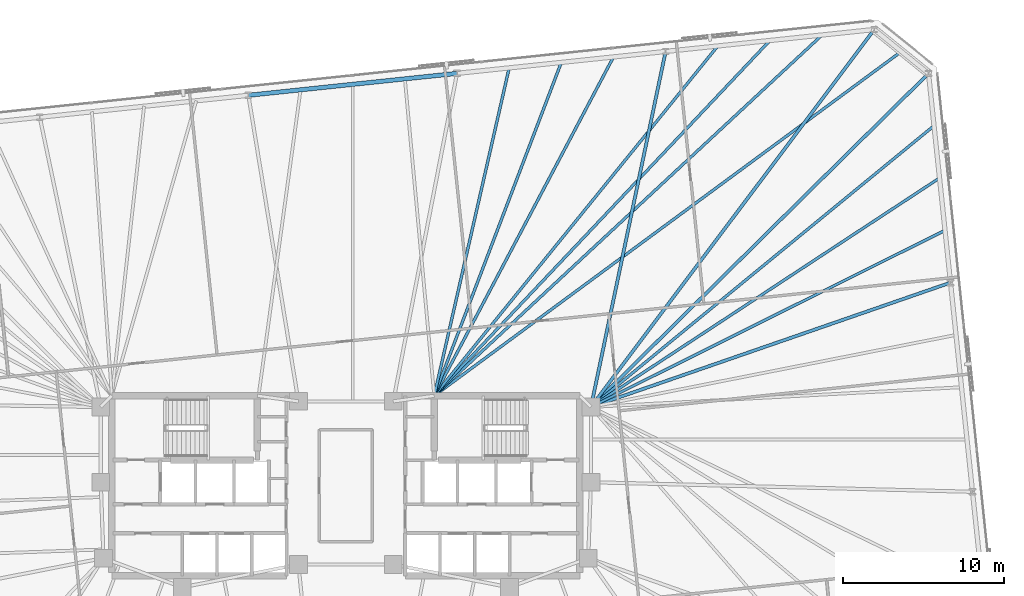
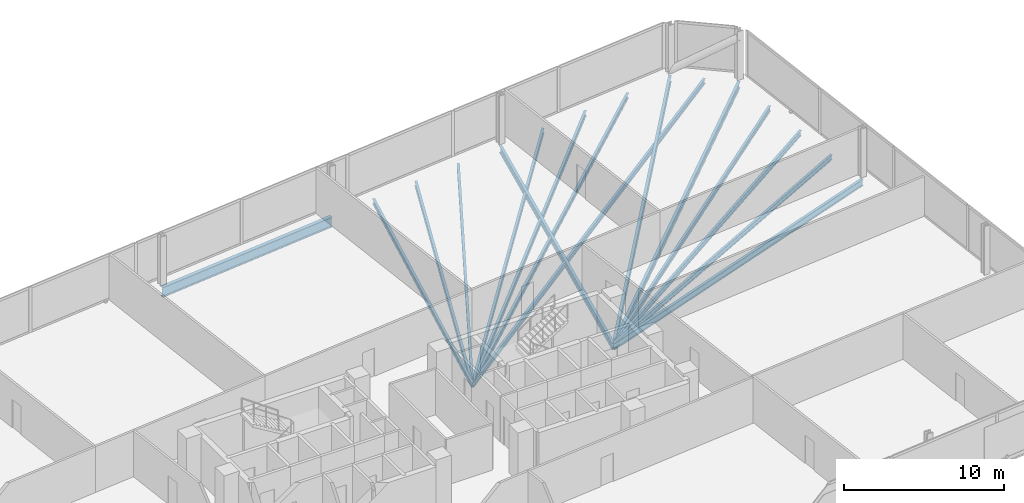
# One storey, part 10 of 18: 15 beams.
"""IFC4 building model written with IfcOpenShell, lengths in metres."""

from ifc_helpers import new_model, si_unit, direction, frame, origin, origin_2d, place, context, subcontext, project, spatial, i_section, extrude, material, material_profile, profile_set, type_object, element, save


model = new_model("IFC4")

# Units and contexts
model_context = context("Model", 3, precision=1e-05, world=origin(), true_north=direction((0.0, 1.0)))
body_context = subcontext(model_context, "Body", "Model", "MODEL_VIEW")
ifc_project = project(units=[si_unit("LENGTHUNIT", "METRE"), si_unit("AREAUNIT", "SQUARE_METRE"), si_unit("VOLUMEUNIT", "CUBIC_METRE"), si_unit("PLANEANGLEUNIT", "RADIAN"), si_unit("MASSUNIT", "GRAM", prefix="KILO")], contexts=[model_context])

# Site, building, storey
site_placement = place(None, origin())
site = spatial("IfcSite", under=ifc_project, at=site_placement, CompositionType="ELEMENT")
building_placement = place(site_placement, origin())
building = spatial("IfcBuilding", under=site, at=building_placement, Name="Menara Jurai Vektor", CompositionType="ELEMENT")
storey_placement = place(building_placement, frame((0.0, 0.0, 117.0)))
storey = spatial("IfcBuildingStorey", under=building, at=storey_placement, Name="L29", CompositionType="ELEMENT", Elevation=117.0)

# Beams
ifc_material_1 = material(Name="Steel S355", Category="steel")
ifc_material_profile_1 = material_profile(ifc_material_1, i_section(OverallWidth=0.199951171875, OverallDepth=0.5, WebThickness=0.011962890625, FlangeThickness=0.02001953125, at=origin_2d()), Name="PG 500x200x96")
ifc_profile_set_1 = profile_set([ifc_material_profile_1], Name="Steel S355")
beam_type_1 = type_object("IfcBeamType", Name="STR-BM-500", PredefinedType="BEAM", material=ifc_profile_set_1)
beam_1_placement = place(storey_placement, frame((37.62060546875, 12.638427734375, -0.47509765625), z_axis=(-0.945053249867, -0.326916434148, 0.0), x_axis=(0.326916434148, -0.945053249867, 0.0)))
element("IfcBeam", 1, at=beam_1_placement, inside=storey, type_object=beam_type_1, Name="Radial Floor Girder L29-E3", PredefinedType="BEAM", context=body_context, shape_type="SweptSolid", body=[
    extrude(i_section(OverallWidth=0.199951171875, OverallDepth=0.5, WebThickness=0.011962890625, FlangeThickness=0.02001953125, at=origin_2d()), origin(), (0.0, 0.0, 1.0), 23.671142578125),
])
beam_2_placement = place(storey_placement, frame((36.252685546875, 25.652099609375, -0.47509765625), z_axis=(-0.711335927547, -0.702852188004, 0.0), x_axis=(0.702852188004, -0.711335927547, 0.0)))
element("IfcBeam", 2, at=beam_2_placement, inside=storey, type_object=beam_type_1, Name="Radial Floor Girder L29-E4", PredefinedType="BEAM", context=body_context, shape_type="SweptSolid", body=[
    extrude(i_section(OverallWidth=0.199951171875, OverallDepth=0.5, WebThickness=0.011962890625, FlangeThickness=0.02001953125, at=origin_2d()), origin(), (0.0, 0.0, 1.0), 29.525634765625),
])
beam_3_placement = place(storey_placement, frame((32.876220703125, 28.38623046875, -0.47509765625), z_axis=(-0.600250057552, -0.799812395758, 0.0), x_axis=(0.799812395758, -0.600250057552, 0.0)))
element("IfcBeam", 3, at=beam_3_placement, inside=storey, type_object=beam_type_1, Name="Radial Floor Girder L29-N1", PredefinedType="BEAM", context=body_context, shape_type="SweptSolid", body=[
    extrude(i_section(OverallWidth=0.199951171875, OverallDepth=0.5, WebThickness=0.011962890625, FlangeThickness=0.02001953125, at=origin_2d()), origin(), (0.0, 0.0, 1.0), 29.36474609375),
])
beam_4_placement = place(storey_placement, frame((19.896728515625, 27.02197265625, -0.47509765625), z_axis=(-0.205563576063, -0.978643763683, 0.0), x_axis=(0.978643763683, -0.205563576063, 0.0)))
element("IfcBeam", 4, at=beam_4_placement, inside=storey, type_object=beam_type_1, Name="Radial Floor Girder L29-N2", PredefinedType="BEAM", context=body_context, shape_type="SweptSolid", body=[
    extrude(i_section(OverallWidth=0.199951171875, OverallDepth=0.5, WebThickness=0.011962890625, FlangeThickness=0.02001953125, at=origin_2d()), origin(), (0.0, 0.0, 1.0), 22.604736328125),
])
ifc_material_profile_2 = material_profile(ifc_material_1, i_section(OverallWidth=0.175048828125, OverallDepth=0.3798828125, WebThickness=0.010009765625, FlangeThickness=0.014892578125, at=origin_2d()), Name="PG 380x175x58")
ifc_profile_set_2 = profile_set([ifc_material_profile_2], Name="Steel S355")
beam_type_2 = type_object("IfcBeamType", Name="STR-JS-380", PredefinedType="JOIST", material=ifc_profile_set_2)
beam_5_placement = place(storey_placement, frame((37.278564453125, 15.891845703125, -0.4150390625), z_axis=(-0.894789854106, -0.446487532849, 0.0), x_axis=(0.446487532849, -0.894789854106, 0.0)))
element("IfcBeam", 5, at=beam_5_placement, inside=storey, type_object=beam_type_2, Name="Radial Secondary Floor Joist L29-JS16", PredefinedType="JOIST", context=body_context, shape_type="SweptSolid", body=[
    extrude(i_section(OverallWidth=0.175048828125, OverallDepth=0.3798828125, WebThickness=0.010009765625, FlangeThickness=0.014892578125, at=origin_2d()), origin(), (0.0, 0.0, 1.0), 24.61865234375),
])
beam_6_placement = place(storey_placement, frame((36.936767578125, 19.145263671875, -0.4150390625), z_axis=(-0.835810585743, -0.549017909326, 0.0), x_axis=(0.549017909326, -0.835810585743, 0.0)))
element("IfcBeam", 6, at=beam_6_placement, inside=storey, type_object=beam_type_2, Name="Radial Secondary Floor Joist L29-JS17", PredefinedType="JOIST", context=body_context, shape_type="SweptSolid", body=[
    extrude(i_section(OverallWidth=0.175048828125, OverallDepth=0.3798828125, WebThickness=0.010009765625, FlangeThickness=0.014892578125, at=origin_2d()), origin(), (0.0, 0.0, 1.0), 25.947021484375),
])
beam_7_placement = place(storey_placement, frame((36.5947265625, 22.398681640625, -0.4150390625), z_axis=(-0.773337004811, -0.63399517111, 0.0), x_axis=(0.63399517111, -0.773337004811, 0.0)))
element("IfcBeam", 7, at=beam_7_placement, inside=storey, type_object=beam_type_2, Name="Radial Secondary Floor Joist L29-JS18", PredefinedType="JOIST", context=body_context, shape_type="SweptSolid", body=[
    extrude(i_section(OverallWidth=0.175048828125, OverallDepth=0.3798828125, WebThickness=0.010009765625, FlangeThickness=0.014892578125, at=origin_2d()), origin(), (0.0, 0.0, 1.0), 27.600830078125),
])
beam_8_placement = place(storey_placement, frame((34.564453125, 27.01904296875, -0.4150390625), z_axis=(-0.805015724179, -0.593253473504, 0.0), x_axis=(0.593253473504, -0.805015724179, 0.0)))
element("IfcBeam", 8, at=beam_8_placement, inside=storey, type_object=beam_type_2, Name="Radial Secondary Floor Joist L29-JS19", PredefinedType="JOIST", context=body_context, shape_type="SweptSolid", body=[
    extrude(i_section(OverallWidth=0.175048828125, OverallDepth=0.3798828125, WebThickness=0.010009765625, FlangeThickness=0.014892578125, at=origin_2d()), origin(), (0.0, 0.0, 1.0), 36.104248046875),
])
beam_9_placement = place(storey_placement, frame((29.63134765625, 28.045166015625, -0.4150390625), z_axis=(-0.732227546694, -0.681060070671, 0.0), x_axis=(0.681060070671, -0.732227546694, 0.0)))
element("IfcBeam", 9, at=beam_9_placement, inside=storey, type_object=beam_type_2, Name="Radial Secondary Floor Joist L29-JS20", PredefinedType="JOIST", context=body_context, shape_type="SweptSolid", body=[
    extrude(i_section(OverallWidth=0.175048828125, OverallDepth=0.3798828125, WebThickness=0.010009765625, FlangeThickness=0.014892578125, at=origin_2d()), origin(), (0.0, 0.0, 1.0), 32.9560546875),
])
beam_10_placement = place(storey_placement, frame((26.386474609375, 27.7041015625, -0.4150390625), z_axis=(-0.686805497462, -0.726841254096, 0.0), x_axis=(0.726841254096, -0.686805497462, 0.0)))
element("IfcBeam", 10, at=beam_10_placement, inside=storey, type_object=beam_type_2, Name="Radial Secondary Floor Joist L29-JS21", PredefinedType="JOIST", context=body_context, shape_type="SweptSolid", body=[
    extrude(i_section(OverallWidth=0.175048828125, OverallDepth=0.3798828125, WebThickness=0.010009765625, FlangeThickness=0.014892578125, at=origin_2d()), origin(), (0.0, 0.0, 1.0), 30.4111328125),
])
beam_11_placement = place(storey_placement, frame((23.1416015625, 27.363037109375, -0.4150390625), z_axis=(-0.629715269624, -0.776826028917, 0.0), x_axis=(0.776826028917, -0.629715269624, 0.0)))
element("IfcBeam", 11, at=beam_11_placement, inside=storey, type_object=beam_type_2, Name="Radial Secondary Floor Joist L29-JS22", PredefinedType="JOIST", context=body_context, shape_type="SweptSolid", body=[
    extrude(i_section(OverallWidth=0.175048828125, OverallDepth=0.3798828125, WebThickness=0.010009765625, FlangeThickness=0.014892578125, at=origin_2d()), origin(), (0.0, 0.0, 1.0), 28.01513671875),
])
beam_12_placement = place(storey_placement, frame((16.651611328125, 26.680908203125, -0.4150390625), z_axis=(-0.467598899237, -0.883940761268, 0.0), x_axis=(0.883940761268, -0.467598899237, 0.0)))
element("IfcBeam", 12, at=beam_12_placement, inside=storey, type_object=beam_type_2, Name="Radial Secondary Floor Joist L29-JS23", PredefinedType="JOIST", context=body_context, shape_type="SweptSolid", body=[
    extrude(i_section(OverallWidth=0.175048828125, OverallDepth=0.3798828125, WebThickness=0.010009765625, FlangeThickness=0.014892578125, at=origin_2d()), origin(), (0.0, 0.0, 1.0), 23.8486328125),
])
beam_13_placement = place(storey_placement, frame((13.40673828125, 26.33984375, -0.4150390625), z_axis=(-0.3562267616, -0.934399536772, 0.0), x_axis=(0.934399536772, -0.3562267616, 0.0)))
element("IfcBeam", 13, at=beam_13_placement, inside=storey, type_object=beam_type_2, Name="Radial Secondary Floor Joist L29-JS24", PredefinedType="JOIST", context=body_context, shape_type="SweptSolid", body=[
    extrude(i_section(OverallWidth=0.175048828125, OverallDepth=0.3798828125, WebThickness=0.010009765625, FlangeThickness=0.014892578125, at=origin_2d()), origin(), (0.0, 0.0, 1.0), 22.19580078125),
])
beam_14_placement = place(storey_placement, frame((10.161865234375, 25.998779296875, -0.4150390625), z_axis=(-0.222793437271, -0.974865675008, 0.0), x_axis=(0.974865675008, -0.222793437271, 0.0)))
element("IfcBeam", 14, at=beam_14_placement, inside=storey, type_object=beam_type_2, Name="Radial Secondary Floor Joist L29-JS25", PredefinedType="JOIST", context=body_context, shape_type="SweptSolid", body=[
    extrude(i_section(OverallWidth=0.175048828125, OverallDepth=0.3798828125, WebThickness=0.010009765625, FlangeThickness=0.014892578125, at=origin_2d()), origin(), (0.0, 0.0, 1.0), 20.924560546875),
])
ifc_material_2 = material(Name="Steel S460", Category="steel")
ifc_material_profile_3 = material_profile(ifc_material_2, i_section(OverallWidth=0.26806640625, OverallDepth=0.77001953125, WebThickness=0.01611328125, FlangeThickness=0.02490234375, FilletRadius=0.01708984375, at=origin_2d()), Name="UKB 762x267x197")
ifc_profile_set_3 = profile_set([ifc_material_profile_3], Name="Steel S460")
beam_type_3 = type_object("IfcBeamType", Name="STR-SP-762", PredefinedType="SPANDREL", material=ifc_profile_set_3)
beam_15_placement = place(storey_placement, frame((6.9169921875, 25.65771484375, -0.610107421875), z_axis=(-0.994521431679, -0.104532874882, 0.0), x_axis=(0.104532874882, -0.994521431679, 0.0)))
element("IfcBeam", 15, at=beam_15_placement, inside=storey, type_object=beam_type_3, Name="Exoskeleton Spandrel Beam L29-13", PredefinedType="SPANDREL", context=body_context, shape_type="SweptSolid", body=[
    extrude(i_section(OverallWidth=0.26806640625, OverallDepth=0.77001953125, WebThickness=0.01611328125, FlangeThickness=0.02490234375, FilletRadius=0.01708984375, at=origin_2d()), origin(), (0.0, 0.0, 1.0), 13.051025390625),
])

save(model, "model.ifc")
